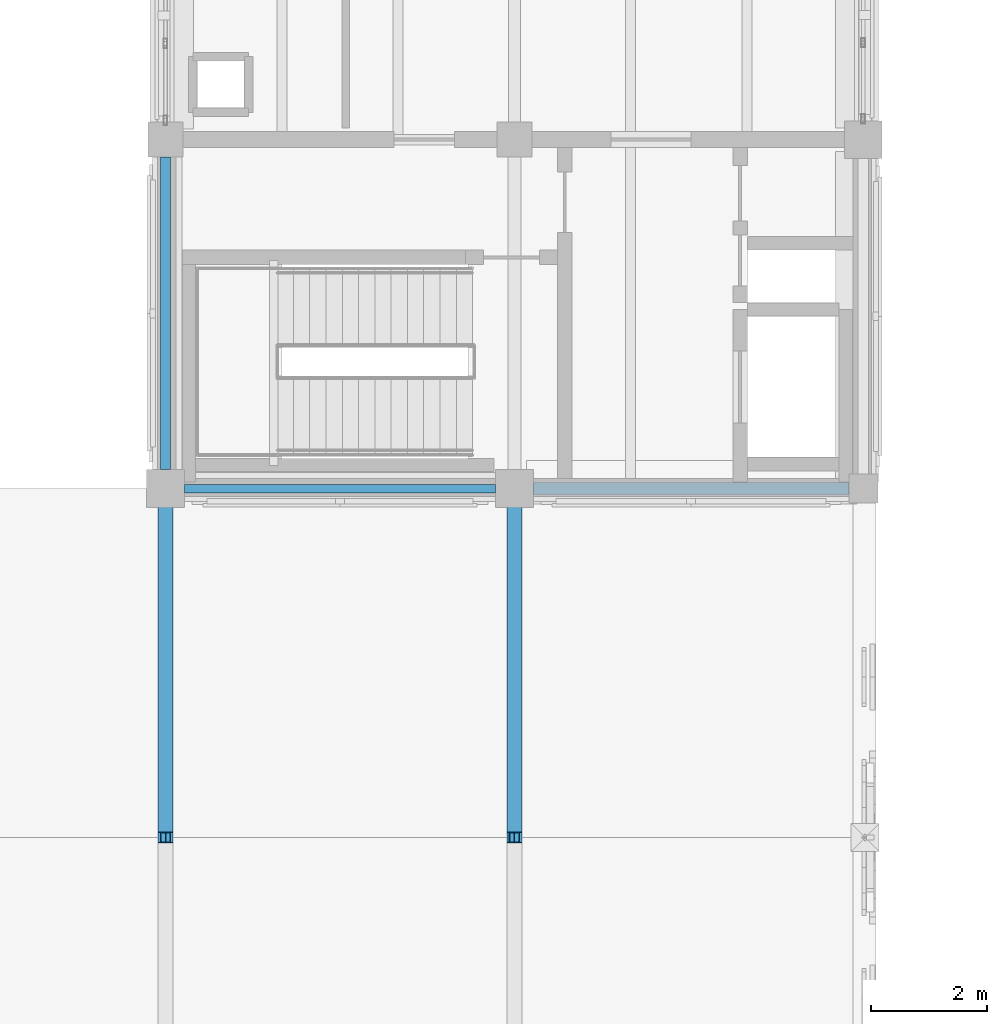
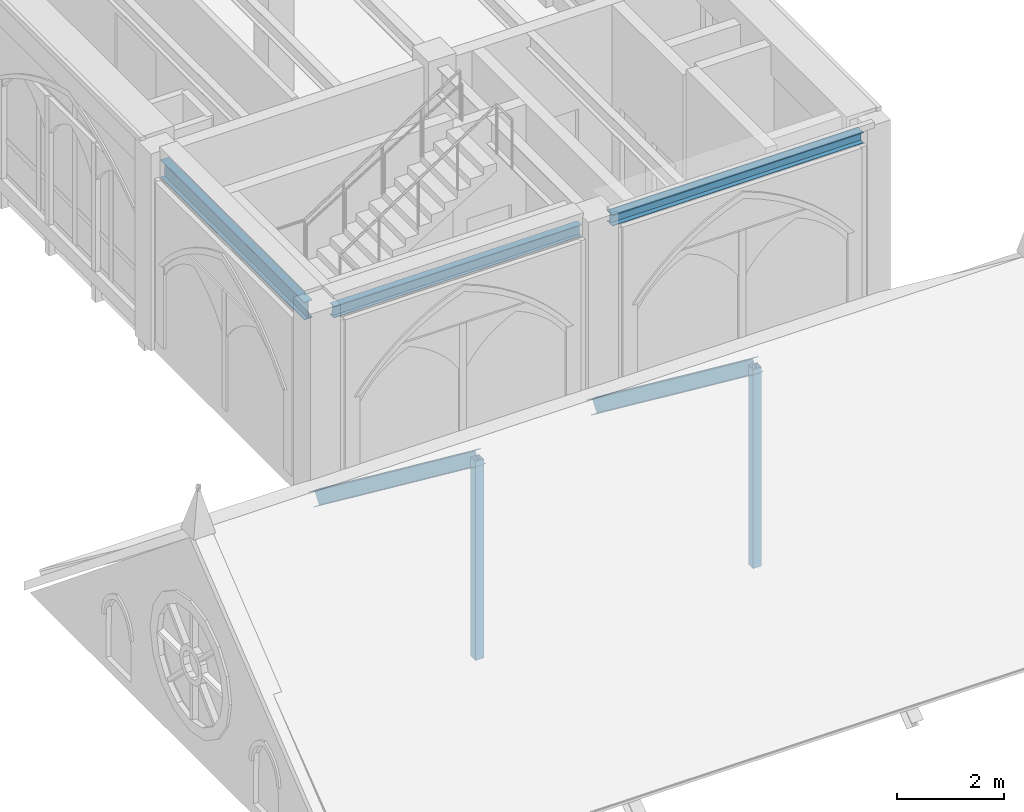
# One storey, part 6 of 143: 4 members, 3 beams.
"""IFC4 building model written with IfcOpenShell, lengths in metres."""

from ifc_helpers import new_model, si_unit, direction, frame, origin, origin_2d, place, context, subcontext, project, spatial, hollow_rectangle, i_section, extrude, material, material_profile, profile_set, type_object, element, save


model = new_model("IFC4")

# Units and contexts
model_context = context("Model", 3, precision=1e-05, world=origin(), true_north=direction((0.0, 1.0)))
body_context = subcontext(model_context, "Body", "Model", "MODEL_VIEW")
ifc_project = project(units=[si_unit("LENGTHUNIT", "METRE"), si_unit("AREAUNIT", "SQUARE_METRE"), si_unit("VOLUMEUNIT", "CUBIC_METRE"), si_unit("PLANEANGLEUNIT", "RADIAN"), si_unit("MASSUNIT", "GRAM", prefix="KILO")], contexts=[model_context])

# Site, building, storey
site_placement = place(None, origin())
site = spatial("IfcSite", under=ifc_project, at=site_placement, CompositionType="ELEMENT")
building_placement = place(site_placement, origin())
building = spatial("IfcBuilding", under=site, at=building_placement, Name="Cumevento Cable Car Station", CompositionType="ELEMENT")
storey_placement = place(building_placement, frame((0.0, 0.0, 9.0)))
storey = spatial("IfcBuildingStorey", under=building, at=storey_placement, Name="L03", CompositionType="ELEMENT", Elevation=9.0)

# Members
ifc_material_1 = material(Name="Steel ASTM A572 Grade 50", Category="steel")
ifc_material_profile_1 = material_profile(ifc_material_1, hollow_rectangle(XDim=0.179931640625, YDim=0.179931640625, WallThickness=0.010009765625, at=origin_2d()), Name="HSS180x180x10.0")
ifc_profile_set_1 = profile_set([ifc_material_profile_1], Name="Steel ASTM A572 Grade 50")
member_type_1 = type_object("IfcMemberType", Name="Framing Brace BR-01 HSS180x180x10.0", PredefinedType="BRACE", material=ifc_profile_set_1)
for number, where, z_axis, x_axis, name in (
    (1, (10.0, 21.0, 0.0), (0.0, 0.0, 1.0), (1.0, 0.0, 0.0), "Wing B_V6a King Post #723"),
    (2, (16.0, 21.0, 0.0), (0.0, 0.0, 1.0), (1.0, 0.0, 0.0), "Wing B_V6a King Post #726"),
):
    element("IfcMember", number, at=place(storey_placement, frame(where, z_axis=z_axis, x_axis=x_axis)), inside=storey, type_object=member_type_1, Name=name, PredefinedType="BRACE", context=body_context, shape_type="SweptSolid", body=[
        extrude(hollow_rectangle(XDim=0.179931640625, YDim=0.179931640625, WallThickness=0.010009765625, at=origin_2d()), origin(), (0.0, 0.0, 1.0), 4.550048828125),
    ])
ifc_material_2 = material(Name="Steel ASTM A572 Grade 50", Category="steel")
ifc_material_profile_2 = material_profile(ifc_material_2, i_section(OverallWidth=0.25390625, OverallDepth=0.305908203125, WebThickness=0.0087890625, FlangeThickness=0.0146484375, at=origin_2d()), Name="W310x79.0")
ifc_profile_set_2 = profile_set([ifc_material_profile_2], Name="Steel ASTM A572 Grade 50")
member_type_2 = type_object("IfcMemberType", Name="Framing Chord TC-03 W310x79.0", PredefinedType="CHORD", material=ifc_profile_set_2)
for number, where, z_axis, x_axis, name in (
    (3, (10.0, 27.0, 0.0), (0.0, -0.796798384939, 0.604245259607), (1.0, 0.0, 0.0), "Wing B_V6a Rafter #725"),
    (4, (16.0, 27.0, 0.0), (0.0, -0.796798384939, 0.604245259607), (1.0, 0.0, 0.0), "Wing B_V6a Rafter #728"),
):
    element("IfcMember", number, at=place(storey_placement, frame(where, z_axis=z_axis, x_axis=x_axis)), inside=storey, type_object=member_type_2, Name=name, PredefinedType="CHORD", context=body_context, shape_type="SweptSolid", body=[
        extrude(i_section(OverallWidth=0.25390625, OverallDepth=0.305908203125, WebThickness=0.0087890625, FlangeThickness=0.0146484375, at=origin_2d()), origin(), (0.0, 0.0, 1.0), 7.530029296875),
    ])

# Beams
ifc_material_3 = material(Name="Steel ASTM A572 Grade 50", Category="steel")
ifc_material_profile_3 = material_profile(ifc_material_3, i_section(OverallWidth=0.14794921875, OverallDepth=0.26611328125, WebThickness=0.007568359375, FlangeThickness=0.012939453125, at=origin_2d()), Name="W250x44.8")
ifc_profile_set_3 = profile_set([ifc_material_profile_3], Name="Steel ASTM A572 Grade 50")
beam_type_1 = type_object("IfcBeamType", Name="Structural Beam BM-07 W250x44.8", PredefinedType="BEAM", material=ifc_profile_set_3)
beam_1_placement = place(storey_placement, frame((10.324951171875, 27.0, 4.1669921875), z_axis=(1.0, 0.0, 0.0), x_axis=(0.0, 1.0, 0.0)))
element("IfcBeam", 5, at=beam_1_placement, inside=storey, type_object=beam_type_1, Name="Beam BM-07 L03 #1004", PredefinedType="BEAM", context=body_context, shape_type="SweptSolid", body=[
    extrude(i_section(OverallWidth=0.14794921875, OverallDepth=0.26611328125, WebThickness=0.007568359375, FlangeThickness=0.012939453125, at=origin_2d()), origin(), (0.0, 0.0, 1.0), 5.35009765625),
])
ifc_material_4 = material(Name="Steel ASTM A572 Grade 50", Category="steel")
ifc_material_profile_4 = material_profile(ifc_material_4, i_section(OverallWidth=0.202880859375, OverallDepth=0.251953125, WebThickness=0.008056640625, FlangeThickness=0.013427734375, at=origin_2d()), Name="W250x58.0")
ifc_profile_set_4 = profile_set([ifc_material_profile_4], Name="Steel ASTM A572 Grade 50")
beam_type_2 = type_object("IfcBeamType", Name="Structural Beam BM-08 W250x58.0", PredefinedType="BEAM", material=ifc_profile_set_4)
beam_2_placement = place(storey_placement, frame((16.324951171875, 27.0, 4.174072265625), z_axis=(1.0, 0.0, 0.0), x_axis=(0.0, 1.0, 0.0)))
element("IfcBeam", 6, at=beam_2_placement, inside=storey, type_object=beam_type_2, Name="Beam BM-08 L03 #1005", PredefinedType="BEAM", context=body_context, shape_type="SweptSolid", body=[
    extrude(i_section(OverallWidth=0.202880859375, OverallDepth=0.251953125, WebThickness=0.008056640625, FlangeThickness=0.013427734375, at=origin_2d()), origin(), (0.0, 0.0, 1.0), 5.425048828125),
])
ifc_material_5 = material(Name="Steel ASTM A572 Grade 50", Category="steel")
ifc_material_profile_5 = material_profile(ifc_material_5, i_section(OverallWidth=0.177978515625, OverallDepth=0.406982421875, WebThickness=0.0078125, FlangeThickness=0.0126953125, at=origin_2d()), Name="W410x60.0")
ifc_profile_set_5 = profile_set([ifc_material_profile_5], Name="Steel ASTM A572 Grade 50")
beam_type_3 = type_object("IfcBeamType", Name="Structural Spandrel SP-01 W410x60.0", PredefinedType="SPANDREL", material=ifc_profile_set_5)
beam_3_placement = place(storey_placement, frame((10.0, 27.324951171875, 4.096435546875), z_axis=(0.0, 1.0, 0.0), x_axis=(-1.0, 0.0, 0.0)))
element("IfcBeam", 7, at=beam_3_placement, inside=storey, type_object=beam_type_3, Name="Beam SP-01 L03 #1008", PredefinedType="SPANDREL", context=body_context, shape_type="SweptSolid", body=[
    extrude(i_section(OverallWidth=0.177978515625, OverallDepth=0.406982421875, WebThickness=0.0078125, FlangeThickness=0.0126953125, at=origin_2d()), origin(), (0.0, 0.0, 1.0), 5.375),
])

save(model, "model.ifc")
